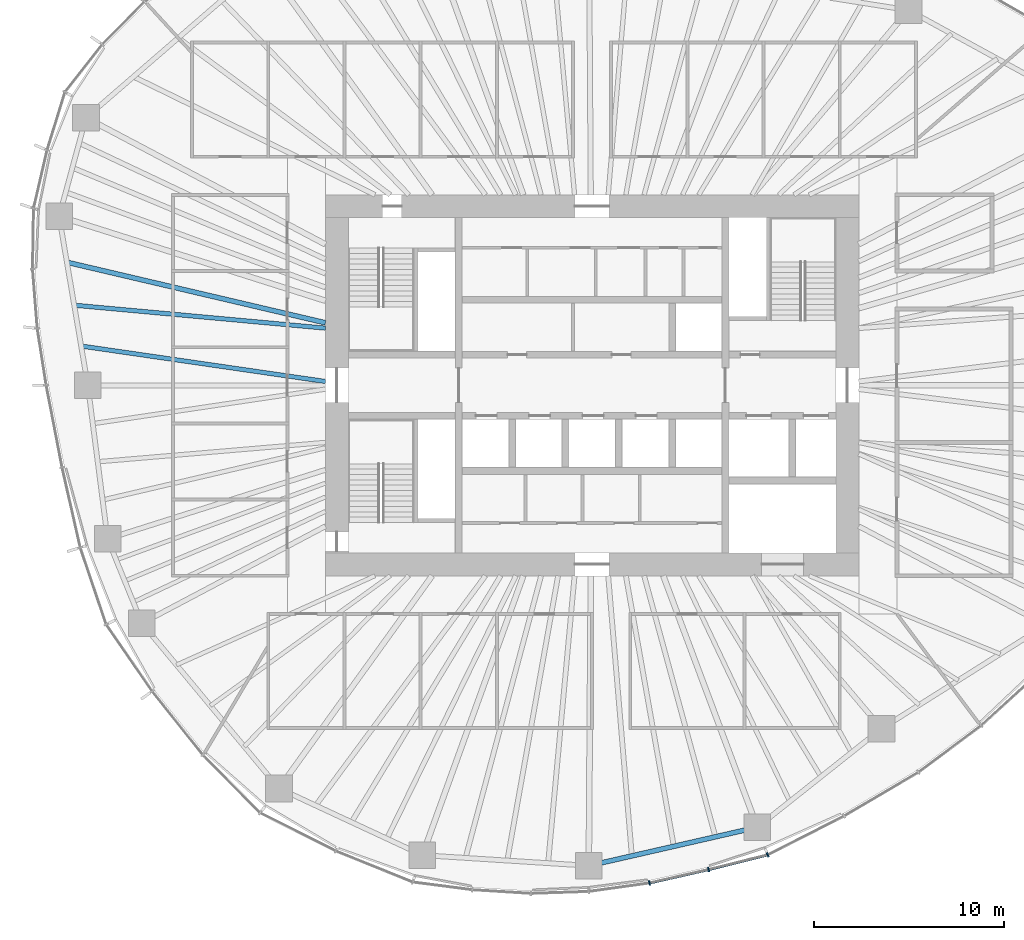
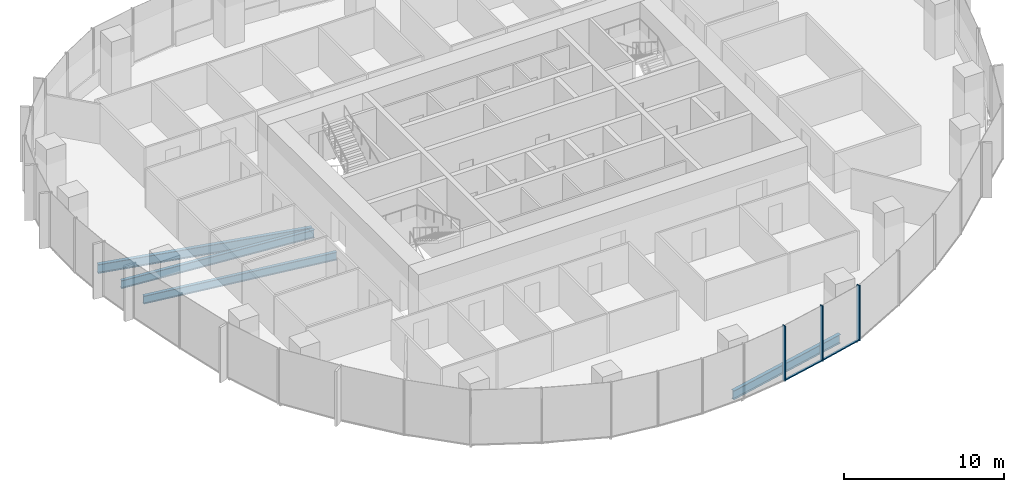
# One storey, part 3 of 18: 5 members, 4 beams, 2 elements without a shape of their own.
"""IFC4 building model written with IfcOpenShell, lengths in metres."""

from ifc_helpers import new_model, si_unit, direction, frame, origin, origin_2d, place, context, subcontext, project, spatial, rectangle, i_section, extrude, material, material_profile, profile_set, type_object, element, aggregate, save


model = new_model("IFC4")

# Units and contexts
model_context = context("Model", 3, precision=1e-05, world=origin(), true_north=direction((0.0, 1.0)))
body_context = subcontext(model_context, "Body", "Model", "MODEL_VIEW")
ifc_project = project(units=[si_unit("LENGTHUNIT", "METRE"), si_unit("AREAUNIT", "SQUARE_METRE"), si_unit("VOLUMEUNIT", "CUBIC_METRE"), si_unit("PLANEANGLEUNIT", "RADIAN"), si_unit("MASSUNIT", "GRAM", prefix="KILO")], contexts=[model_context])

# Site, building, storey
site_placement = place(None, origin())
site = spatial("IfcSite", under=ifc_project, at=site_placement, CompositionType="ELEMENT")
building_placement = place(site_placement, origin())
building = spatial("IfcBuilding", under=site, at=building_placement, Name="Ghaith Harvest Tower", CompositionType="ELEMENT")
storey_placement = place(building_placement, frame((0.0, 0.0, 172.199951171875)))
storey = spatial("IfcBuildingStorey", under=building, at=storey_placement, Name="L37", CompositionType="ELEMENT", Elevation=172.199951171875)

# Curtain wall, members
ifc_material_1 = material(Name="Black anodised aluminium and fritted glass", Category="aluminium")
curtain_wall_type = type_object("IfcCurtainWallType", Name="CW-L CURTAIN WALL", PredefinedType="NOTDEFINED", material=ifc_material_1)
curtain_wall_1_placement = place(storey_placement, origin())
curtain_wall_1 = element("IfcCurtainWall", 1, at=curtain_wall_1_placement, inside=storey, type_object=curtain_wall_type, Name="Curtain wall CW-L bay 16 L37", PredefinedType="NOTDEFINED")
ifc_material_2 = material(Name="Aluminium, black anodised", Category="aluminium")
ifc_material_profile_1 = material_profile(ifc_material_2, rectangle(XDim=0.080078125, YDim=0.239990234375, at=origin_2d()), Name="CW-L MULLION 80x240")
ifc_profile_set_1 = profile_set([ifc_material_profile_1], Name="Aluminium, black anodised")
member_type_1 = type_object("IfcMemberType", Name="CW-L MULLION 80x240", PredefinedType="MULLION", material=ifc_profile_set_1)
member_1_placement = place(storey_placement, frame((3.010009765625, -26.12939453125, 0.0), z_axis=(0.0, 0.0, 1.0), x_axis=(0.983806317978, 0.179234842337, 0.0)))
member_1 = element("IfcMember", 2, at=member_1_placement, type_object=member_type_1, Name="CW-L mullion 2 bay 16 L37", PredefinedType="MULLION", context=body_context, shape_type="SweptSolid", body=[
    extrude(rectangle(XDim=0.080078125, YDim=0.239990234375, at=origin_2d()), origin(), (0.0, 0.0, 1.0), 4.199951171875),
])
member_2_placement = place(storey_placement, frame((6.1201171875, -25.425537109375, 0.0), z_axis=(0.0, 0.0, 1.0), x_axis=(0.972918144681, 0.231149916179, 0.0)))
member_2 = element("IfcMember", 3, at=member_2_placement, type_object=member_type_1, Name="CW-L mullion 3 bay 16 L37", PredefinedType="MULLION", context=body_context, shape_type="SweptSolid", body=[
    extrude(rectangle(XDim=0.080078125, YDim=0.239990234375, at=origin_2d()), origin(), (0.0, 0.0, 1.0), 4.199951171875),
])

# Curtain wall, member
curtain_wall_2_placement = place(storey_placement, origin())
curtain_wall_2 = element("IfcCurtainWall", 4, at=curtain_wall_2_placement, inside=storey, type_object=curtain_wall_type, Name="Curtain wall CW-L bay 17 L37", PredefinedType="NOTDEFINED")
member_3_placement = place(storey_placement, frame((9.216796875, -24.654541015625, 0.0), z_axis=(0.0, 0.0, 1.0), x_axis=(0.929831847154, 0.367984695358, 0.0)))
member_3 = element("IfcMember", 5, at=member_3_placement, type_object=member_type_1, Name="CW-L mullion 1 bay 17 L37", PredefinedType="MULLION", context=body_context, shape_type="SweptSolid", body=[
    extrude(rectangle(XDim=0.080078125, YDim=0.239990234375, at=origin_2d()), origin(), (0.0, 0.0, 1.0), 4.199951171875),
])
aggregate(curtain_wall_2, [member_3])

# Member
ifc_material_3 = material(Name="Aluminium, black anodised", Category="aluminium")
ifc_material_profile_2 = material_profile(ifc_material_3, rectangle(XDim=0.14990234375, YDim=0.080078125, at=origin_2d()), Name="CW-L TRANSOM 150x80")
ifc_profile_set_2 = profile_set([ifc_material_profile_2], Name="Aluminium, black anodised")
member_type_2 = type_object("IfcMemberType", Name="CW-L TRANSOM 150x80", PredefinedType="USERDEFINED", material=ifc_profile_set_2)
member_4_placement = place(storey_placement, frame((3.048828125, -26.120361328125, 0.0400390625), z_axis=(0.975352213651, 0.22065370907, 0.0), x_axis=(-0.22065370907, 0.975352213651, 0.0)))
member_4 = element("IfcMember", 6, at=member_4_placement, type_object=member_type_2, Name="CW-L transom 2 bay 16 L37", ObjectType="TRANSOM", PredefinedType="USERDEFINED", context=body_context, shape_type="SweptSolid", body=[
    extrude(rectangle(XDim=0.14990234375, YDim=0.080078125, at=origin_2d()), origin(), (0.0, 0.0, 1.0), 3.109130859375),
])

member_5_placement = place(storey_placement, frame((6.158935546875, -25.415771484375, 0.0400390625), z_axis=(0.97039125345, 0.241538434265, 0.0), x_axis=(-0.241538434265, 0.97039125345, 0.0)))
member_5 = element("IfcMember", 7, at=member_5_placement, type_object=member_type_2, Name="CW-L transom 3 bay 16 L37", ObjectType="TRANSOM", PredefinedType="USERDEFINED", context=body_context, shape_type="SweptSolid", body=[
    extrude(rectangle(XDim=0.14990234375, YDim=0.080078125, at=origin_2d()), origin(), (0.0, 0.0, 1.0), 3.111083984375),
])

aggregate(curtain_wall_1, [member_1, member_4, member_2, member_5])

# Beams
ifc_material_4 = material(Name="Steel ASTM A992 Grade 50", Category="steel")
ifc_material_profile_3 = material_profile(ifc_material_4, i_section(OverallWidth=0.25390625, OverallDepth=0.68408203125, WebThickness=0.012451171875, FlangeThickness=0.018798828125, at=origin_2d()), Name="W690X140")
ifc_profile_set_3 = profile_set([ifc_material_profile_3], Name="Steel ASTM A992 Grade 50")
beam_type_1 = type_object("IfcBeamType", Name="E690-140 W690X140", PredefinedType="SPANDREL", material=ifc_profile_set_3)
beam_1_placement = place(storey_placement, frame((-0.173095703125, -25.22412109375, -0.511962890625), z_axis=(0.974881709383, 0.22272326486, 0.0), x_axis=(-0.22272326486, 0.974881709383, 0.0)))
element("IfcBeam", 8, at=beam_1_placement, inside=storey, type_object=beam_type_1, Name="Edge beam E16 L37", PredefinedType="SPANDREL", context=body_context, shape_type="SweptSolid", body=[
    extrude(i_section(OverallWidth=0.25390625, OverallDepth=0.68408203125, WebThickness=0.012451171875, FlangeThickness=0.018798828125, at=origin_2d()), origin(), (0.0, 0.0, 1.0), 9.0751953125),
])
ifc_material_5 = material(Name="Steel ASTM A992 Grade 50", Category="steel")
ifc_material_profile_4 = material_profile(ifc_material_5, i_section(OverallWidth=0.22900390625, OverallDepth=0.612060546875, WebThickness=0.011962890625, FlangeThickness=0.01953125, at=origin_2d()), Name="W610X125")
ifc_profile_set_4 = profile_set([ifc_material_profile_4], Name="Steel ASTM A992 Grade 50")
beam_type_2 = type_object("IfcBeamType", Name="J610-125 W610X125", PredefinedType="JOIST", material=ifc_profile_set_4)
beam_2_placement = place(storey_placement, frame((-14.0, 3.0, -0.475830078125), z_axis=(-0.995849123151, 0.091019360137, 0.0), x_axis=(-0.091019360137, -0.995849123151, 0.0)))
element("IfcBeam", 9, at=beam_2_placement, inside=storey, type_object=beam_type_2, Name="Joist J10.2 L37", PredefinedType="JOIST", context=body_context, shape_type="SweptSolid", body=[
    extrude(i_section(OverallWidth=0.22900390625, OverallDepth=0.612060546875, WebThickness=0.011962890625, FlangeThickness=0.01953125, at=origin_2d()), origin(), (0.0, 0.0, 1.0), 13.2451171875),
])
beam_3_placement = place(storey_placement, frame((-14.0, 0.199951171875, -0.475830078125), z_axis=(-0.989622120656, 0.143694322465, 0.0), x_axis=(-0.143694322465, -0.989622120656, 0.0)))
element("IfcBeam", 10, at=beam_3_placement, inside=storey, type_object=beam_type_2, Name="Joist J10.3 L37", PredefinedType="JOIST", context=body_context, shape_type="SweptSolid", body=[
    extrude(i_section(OverallWidth=0.22900390625, OverallDepth=0.612060546875, WebThickness=0.011962890625, FlangeThickness=0.01953125, at=origin_2d()), origin(), (0.0, 0.0, 1.0), 12.960205078125),
])
ifc_material_6 = material(Name="Steel ASTM A992 Grade 50", Category="steel")
ifc_material_profile_5 = material_profile(ifc_material_6, i_section(OverallWidth=0.25390625, OverallDepth=0.68408203125, WebThickness=0.012451171875, FlangeThickness=0.018798828125, at=origin_2d()), Name="W690X140")
ifc_profile_set_5 = profile_set([ifc_material_profile_5], Name="Steel ASTM A992 Grade 50")
beam_type_3 = type_object("IfcBeamType", Name="J690-140 W690X140", PredefinedType="JOIST", material=ifc_profile_set_5)
beam_4_placement = place(storey_placement, frame((-14.0, 3.280517578125, -0.511962890625), z_axis=(-0.973623240284, 0.228161753978, 0.0), x_axis=(-0.228161753978, -0.973623240284, 0.0)))
element("IfcBeam", 11, at=beam_4_placement, inside=storey, type_object=beam_type_3, Name="Joist J10.1 L37", PredefinedType="JOIST", context=body_context, shape_type="SweptSolid", body=[
    extrude(i_section(OverallWidth=0.25390625, OverallDepth=0.68408203125, WebThickness=0.012451171875, FlangeThickness=0.018798828125, at=origin_2d()), origin(), (0.0, 0.0, 1.0), 13.94140625),
])

save(model, "model.ifc")
